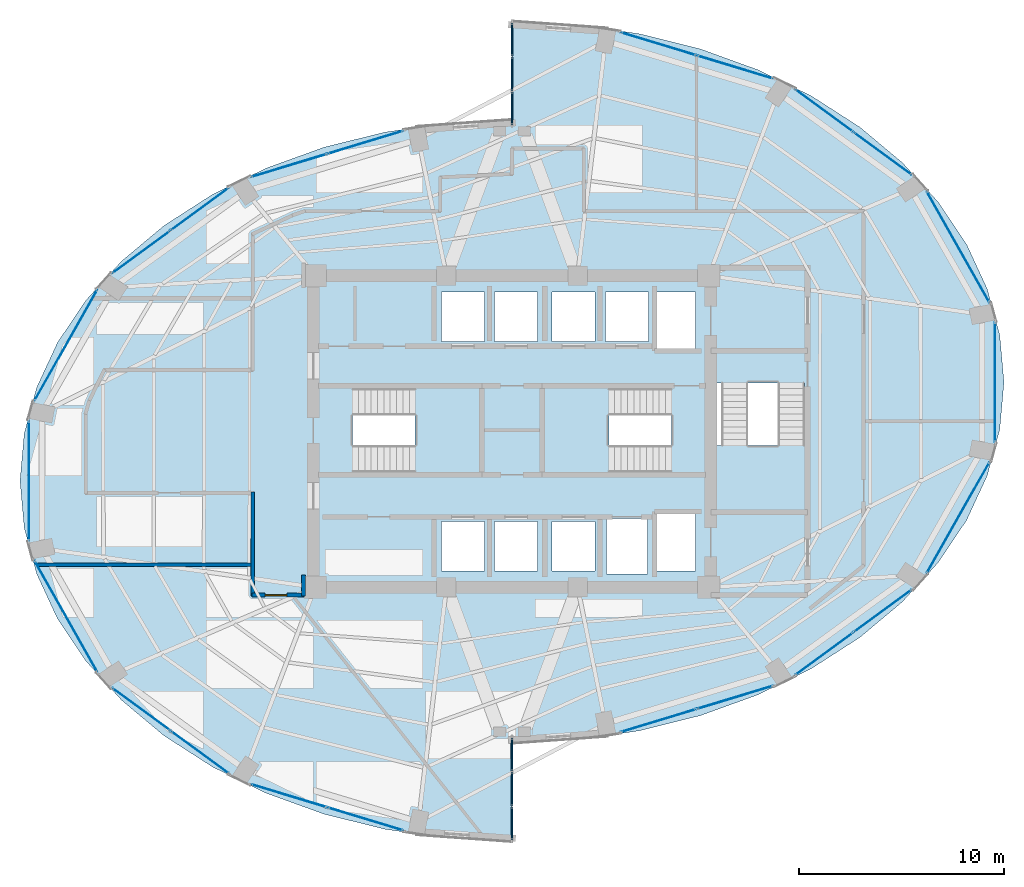
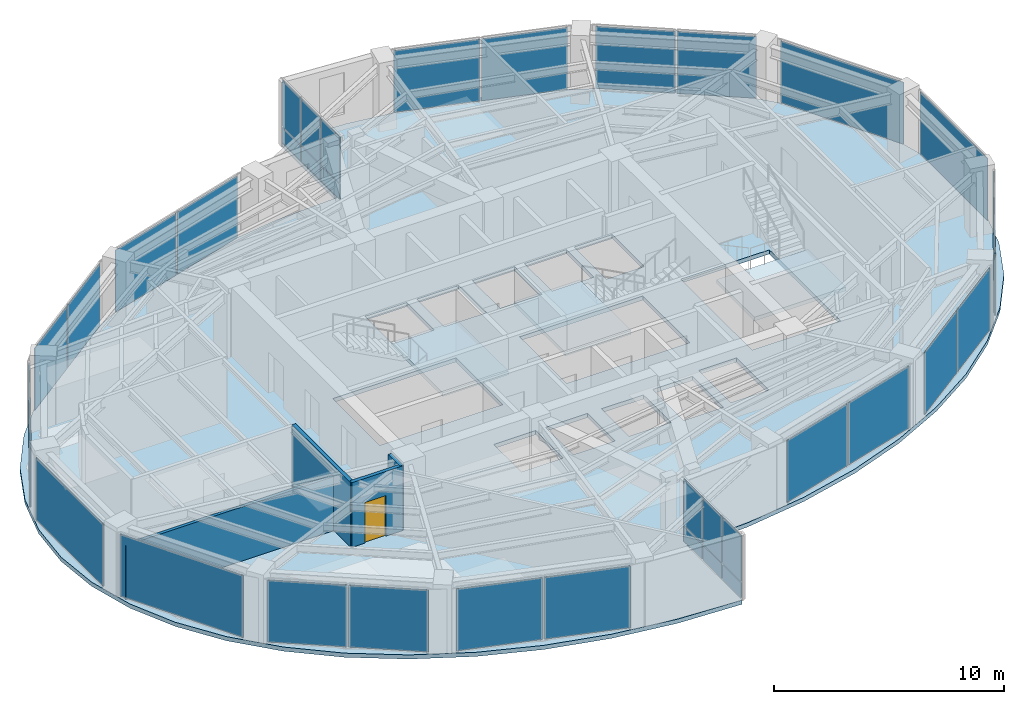
# One storey, part 15 of 20: 34 plates, 4 slabs, 4 walls, 1 door, 1 opening, 19 elements without a shape of their own.
"""IFC4 building model written with IfcOpenShell, lengths in metres."""

from ifc_helpers import new_model, si_unit, direction, frame, frame_2d, origin, origin_2d, place, context, subcontext, project, spatial, polyline, rectangle, outline, extrude, material, layer, layer_set, type_object, element, fill, aggregate, save


model = new_model("IFC4")

# Units and contexts
model_context = context("Model", 3, precision=1e-05, world=origin(), true_north=direction((0.0, 1.0)))
body_context = subcontext(model_context, "Body", "Model", "MODEL_VIEW")
ifc_project = project(units=[si_unit("LENGTHUNIT", "METRE"), si_unit("AREAUNIT", "SQUARE_METRE"), si_unit("VOLUMEUNIT", "CUBIC_METRE"), si_unit("PLANEANGLEUNIT", "RADIAN"), si_unit("MASSUNIT", "GRAM", prefix="KILO")], contexts=[model_context])

# Site, building, storey
site_placement = place(None, origin())
site = spatial("IfcSite", under=ifc_project, at=site_placement, CompositionType="ELEMENT")
building_placement = place(site_placement, origin())
building = spatial("IfcBuilding", under=site, at=building_placement, Name="Lazwardi Medical Tower", CompositionType="ELEMENT")
storey_placement = place(building_placement, frame((0.0, 0.0, 152.8798828125)))
storey = spatial("IfcBuildingStorey", under=building, at=storey_placement, Name="L39", CompositionType="ELEMENT", Elevation=152.8798828125)

# Curtain wall, plates
ifc_material_1 = material(Name="Anodised bronze aluminium and solar control glazing", Category="aluminium")
ifc_layer_1 = layer(ifc_material_1, 0.195068359375)
ifc_layer_set_1 = layer_set([ifc_layer_1], Name="Anodised bronze aluminium and solar control glazing")
curtain_wall_type_1 = type_object("IfcCurtainWallType", Name="CW-SYS-03", PredefinedType="NOTDEFINED", material=ifc_layer_set_1)
curtain_wall_1_placement = place(storey_placement, origin())
curtain_wall_1 = element("IfcCurtainWall", 1, at=curtain_wall_1_placement, inside=storey, type_object=curtain_wall_type_1, Name="L39 Unitised bronze curtain wall CW-03", PredefinedType="NOTDEFINED")
ifc_material_2 = material(Name="Low-e bronze solar control double glazing", Category="glass")
ifc_layer_2 = layer(ifc_material_2, 0.035888671875)
ifc_layer_set_2 = layer_set([ifc_layer_2], Name="Low-e bronze solar control double glazing")
plate_type_1 = type_object("IfcPlateType", Name="PLT-GLZ-01", PredefinedType="CURTAIN_PANEL", material=ifc_layer_set_2)
plate_1_placement = place(storey_placement, frame((43.1435546875, 13.8935546875, 0.0751953125), z_axis=(0.0, 0.0, 1.0), x_axis=(0.956941516292, 0.290280785441, 0.0)))
plate_1 = element("IfcPlate", 2, at=plate_1_placement, type_object=plate_type_1, Name="CW-03 panel 1.1", PredefinedType="CURTAIN_PANEL", context=body_context, shape_type="SweptSolid", body=[
    extrude(rectangle(XDim=3.83642578125, YDim=0.035888671875, at=origin_2d()), origin(), (0.0, 0.0, 1.0), 3.278076171875),
])
plate_2_placement = place(storey_placement, frame((46.88671875, 15.029052734375, 0.0751953125), z_axis=(0.0, 0.0, 1.0), x_axis=(0.956941516292, 0.290280785441, 0.0)))
plate_2 = element("IfcPlate", 3, at=plate_2_placement, type_object=plate_type_1, Name="CW-03 panel 2.1", PredefinedType="CURTAIN_PANEL", context=body_context, shape_type="SweptSolid", body=[
    extrude(rectangle(XDim=3.83642578125, YDim=0.035888671875, at=origin_2d()), origin(), (0.0, 0.0, 1.0), 3.278076171875),
])
aggregate(curtain_wall_1, [plate_1, plate_2])

curtain_wall_2_placement = place(storey_placement, origin())
curtain_wall_2 = element("IfcCurtainWall", 4, at=curtain_wall_2_placement, inside=storey, type_object=curtain_wall_type_1, Name="L39 Unitised bronze curtain wall CW-03", PredefinedType="NOTDEFINED")
plate_3_placement = place(storey_placement, frame((51.2265625, 17.153076171875, 0.0751953125), z_axis=(0.0, 0.0, 1.0), x_axis=(0.806793249082, 0.590833862635, 0.0)))
plate_3 = element("IfcPlate", 5, at=plate_3_placement, type_object=plate_type_1, Name="CW-03 panel 1.1", PredefinedType="CURTAIN_PANEL", context=body_context, shape_type="SweptSolid", body=[
    extrude(rectangle(XDim=3.472412109375, YDim=0.035888671875, at=origin_2d()), origin(), (0.0, 0.0, 1.0), 3.278076171875),
])
plate_4_placement = place(storey_placement, frame((54.088623046875, 19.2490234375, 0.0751953125), z_axis=(0.0, 0.0, 1.0), x_axis=(0.806793249082, 0.590833862635, 0.0)))
plate_4 = element("IfcPlate", 6, at=plate_4_placement, type_object=plate_type_1, Name="CW-03 panel 2.1", PredefinedType="CURTAIN_PANEL", context=body_context, shape_type="SweptSolid", body=[
    extrude(rectangle(XDim=3.472412109375, YDim=0.035888671875, at=origin_2d()), origin(), (0.0, 0.0, 1.0), 3.278076171875),
])
aggregate(curtain_wall_2, [plate_3, plate_4])

# Curtain wall, plate
curtain_wall_3_placement = place(storey_placement, origin())
curtain_wall_3 = element("IfcCurtainWall", 7, at=curtain_wall_3_placement, inside=storey, type_object=curtain_wall_type_1, Name="L39 Unitised bronze curtain wall CW-03", PredefinedType="NOTDEFINED")
plate_5_placement = place(storey_placement, frame((57.764404296875, 23.798095703125, 0.0751953125), z_axis=(0.0, 0.0, 1.0), x_axis=(0.492311672683, 0.870418989303, 0.0)))
plate_5 = element("IfcPlate", 8, at=plate_5_placement, type_object=plate_type_1, Name="CW-03 panel 1.1", PredefinedType="CURTAIN_PANEL", context=body_context, shape_type="SweptSolid", body=[
    extrude(rectangle(XDim=6.208740234375, YDim=0.035888671875, at=origin_2d()), origin(), (0.0, 0.0, 1.0), 3.278076171875),
])
aggregate(curtain_wall_3, [plate_5])

curtain_wall_4_placement = place(storey_placement, origin())
curtain_wall_4 = element("IfcCurtainWall", 9, at=curtain_wall_4_placement, inside=storey, type_object=curtain_wall_type_1, Name="L39 Unitised bronze curtain wall CW-03", PredefinedType="NOTDEFINED")
plate_6_placement = place(storey_placement, frame((59.5576171875, 30.39990234375, 0.0751953125), z_axis=(0.0, 0.0, 1.0), x_axis=(0.0, 1.0, 0.0)))
plate_6 = element("IfcPlate", 10, at=plate_6_placement, type_object=plate_type_1, Name="CW-03 panel 1.1", PredefinedType="CURTAIN_PANEL", context=body_context, shape_type="SweptSolid", body=[
    extrude(rectangle(XDim=5.8408203125, YDim=0.035888671875, at=origin_2d()), origin(), (0.0, 0.0, 1.0), 3.278076171875),
])
aggregate(curtain_wall_4, [plate_6])

curtain_wall_5_placement = place(storey_placement, origin())
curtain_wall_5 = element("IfcCurtainWall", 11, at=curtain_wall_5_placement, inside=storey, type_object=curtain_wall_type_1, Name="L39 Unitised bronze curtain wall CW-03", PredefinedType="NOTDEFINED")
plate_7_placement = place(storey_placement, frame((57.764404296875, 37.001953125, 0.0751953125), z_axis=(0.0, 0.0, 1.0), x_axis=(-0.492311672683, 0.870418989303, 0.0)))
plate_7 = element("IfcPlate", 12, at=plate_7_placement, type_object=plate_type_1, Name="CW-03 panel 1.1", PredefinedType="CURTAIN_PANEL", context=body_context, shape_type="SweptSolid", body=[
    extrude(rectangle(XDim=6.208740234375, YDim=0.035888671875, at=origin_2d()), origin(), (0.0, 0.0, 1.0), 3.278076171875),
])
aggregate(curtain_wall_5, [plate_7])

# Curtain wall, plates
curtain_wall_6_placement = place(storey_placement, origin())
curtain_wall_6 = element("IfcCurtainWall", 13, at=curtain_wall_6_placement, inside=storey, type_object=curtain_wall_type_1, Name="L39 Unitised bronze curtain wall CW-03", PredefinedType="NOTDEFINED")
plate_8_placement = place(storey_placement, frame((54.088623046875, 41.551025390625, 0.0751953125), z_axis=(0.0, 0.0, 1.0), x_axis=(-0.806793249082, 0.590833862635, 0.0)))
plate_8 = element("IfcPlate", 14, at=plate_8_placement, type_object=plate_type_1, Name="CW-03 panel 1.1", PredefinedType="CURTAIN_PANEL", context=body_context, shape_type="SweptSolid", body=[
    extrude(rectangle(XDim=3.472412109375, YDim=0.035888671875, at=origin_2d()), origin(), (0.0, 0.0, 1.0), 3.278076171875),
])
plate_9_placement = place(storey_placement, frame((51.2265625, 43.64697265625, 0.0751953125), z_axis=(0.0, 0.0, 1.0), x_axis=(-0.806793249082, 0.590833862635, 0.0)))
plate_9 = element("IfcPlate", 15, at=plate_9_placement, type_object=plate_type_1, Name="CW-03 panel 2.1", PredefinedType="CURTAIN_PANEL", context=body_context, shape_type="SweptSolid", body=[
    extrude(rectangle(XDim=3.472412109375, YDim=0.035888671875, at=origin_2d()), origin(), (0.0, 0.0, 1.0), 3.278076171875),
])
aggregate(curtain_wall_6, [plate_8, plate_9])

curtain_wall_7_placement = place(storey_placement, origin())
curtain_wall_7 = element("IfcCurtainWall", 16, at=curtain_wall_7_placement, inside=storey, type_object=curtain_wall_type_1, Name="L39 Unitised bronze curtain wall CW-03", PredefinedType="NOTDEFINED")
plate_10_placement = place(storey_placement, frame((46.88671875, 45.77099609375, 0.0751953125), z_axis=(0.0, 0.0, 1.0), x_axis=(-0.956941516292, 0.290280785441, 0.0)))
plate_10 = element("IfcPlate", 17, at=plate_10_placement, type_object=plate_type_1, Name="CW-03 panel 1.1", PredefinedType="CURTAIN_PANEL", context=body_context, shape_type="SweptSolid", body=[
    extrude(rectangle(XDim=3.83642578125, YDim=0.035888671875, at=origin_2d()), origin(), (0.0, 0.0, 1.0), 3.278076171875),
])
plate_11_placement = place(storey_placement, frame((43.1435546875, 46.906494140625, 0.0751953125), z_axis=(0.0, 0.0, 1.0), x_axis=(-0.956941516292, 0.290280785441, 0.0)))
plate_11 = element("IfcPlate", 18, at=plate_11_placement, type_object=plate_type_1, Name="CW-03 panel 2.1", PredefinedType="CURTAIN_PANEL", context=body_context, shape_type="SweptSolid", body=[
    extrude(rectangle(XDim=3.83642578125, YDim=0.035888671875, at=origin_2d()), origin(), (0.0, 0.0, 1.0), 3.278076171875),
])
aggregate(curtain_wall_7, [plate_10, plate_11])

curtain_wall_8_placement = place(storey_placement, origin())
curtain_wall_8 = element("IfcCurtainWall", 19, at=curtain_wall_8_placement, inside=storey, type_object=curtain_wall_type_1, Name="L39 Unitised bronze curtain wall CW-03", PredefinedType="NOTDEFINED")
plate_12_placement = place(storey_placement, frame((28.8564453125, 42.1064453125, 0.0751953125), z_axis=(0.0, 0.0, 1.0), x_axis=(-0.956941516292, -0.290280785441, 0.0)))
plate_12 = element("IfcPlate", 20, at=plate_12_placement, type_object=plate_type_1, Name="CW-03 panel 1.1", PredefinedType="CURTAIN_PANEL", context=body_context, shape_type="SweptSolid", body=[
    extrude(rectangle(XDim=3.83642578125, YDim=0.035888671875, at=origin_2d()), origin(), (0.0, 0.0, 1.0), 3.278076171875),
])
plate_13_placement = place(storey_placement, frame((25.11328125, 40.970947265625, 0.0751953125), z_axis=(0.0, 0.0, 1.0), x_axis=(-0.956941516292, -0.290280785441, 0.0)))
plate_13 = element("IfcPlate", 21, at=plate_13_placement, type_object=plate_type_1, Name="CW-03 panel 2.1", PredefinedType="CURTAIN_PANEL", context=body_context, shape_type="SweptSolid", body=[
    extrude(rectangle(XDim=3.83642578125, YDim=0.035888671875, at=origin_2d()), origin(), (0.0, 0.0, 1.0), 3.278076171875),
])
aggregate(curtain_wall_8, [plate_12, plate_13])

curtain_wall_9_placement = place(storey_placement, origin())
curtain_wall_9 = element("IfcCurtainWall", 22, at=curtain_wall_9_placement, inside=storey, type_object=curtain_wall_type_1, Name="L39 Unitised bronze curtain wall CW-03", PredefinedType="NOTDEFINED")
plate_14_placement = place(storey_placement, frame((20.7734375, 38.846923828125, 0.0751953125), z_axis=(0.0, 0.0, 1.0), x_axis=(-0.806793249082, -0.590833862635, 0.0)))
plate_14 = element("IfcPlate", 23, at=plate_14_placement, type_object=plate_type_1, Name="CW-03 panel 1.1", PredefinedType="CURTAIN_PANEL", context=body_context, shape_type="SweptSolid", body=[
    extrude(rectangle(XDim=3.472412109375, YDim=0.035888671875, at=origin_2d()), origin(), (0.0, 0.0, 1.0), 3.278076171875),
])
plate_15_placement = place(storey_placement, frame((17.911376953125, 36.7509765625, 0.0751953125), z_axis=(0.0, 0.0, 1.0), x_axis=(-0.806793249082, -0.590833862635, 0.0)))
plate_15 = element("IfcPlate", 24, at=plate_15_placement, type_object=plate_type_1, Name="CW-03 panel 2.1", PredefinedType="CURTAIN_PANEL", context=body_context, shape_type="SweptSolid", body=[
    extrude(rectangle(XDim=3.472412109375, YDim=0.035888671875, at=origin_2d()), origin(), (0.0, 0.0, 1.0), 3.278076171875),
])
aggregate(curtain_wall_9, [plate_14, plate_15])

# Curtain wall, plate
curtain_wall_10_placement = place(storey_placement, origin())
curtain_wall_10 = element("IfcCurtainWall", 25, at=curtain_wall_10_placement, inside=storey, type_object=curtain_wall_type_1, Name="L39 Unitised bronze curtain wall CW-03", PredefinedType="NOTDEFINED")
plate_16_placement = place(storey_placement, frame((14.235595703125, 32.201904296875, 0.0751953125), z_axis=(0.0, 0.0, 1.0), x_axis=(-0.492311672683, -0.870418989303, 0.0)))
plate_16 = element("IfcPlate", 26, at=plate_16_placement, type_object=plate_type_1, Name="CW-03 panel 1.1", PredefinedType="CURTAIN_PANEL", context=body_context, shape_type="SweptSolid", body=[
    extrude(rectangle(XDim=6.208740234375, YDim=0.035888671875, at=origin_2d()), origin(), (0.0, 0.0, 1.0), 3.278076171875),
])
aggregate(curtain_wall_10, [plate_16])

curtain_wall_11_placement = place(storey_placement, origin())
curtain_wall_11 = element("IfcCurtainWall", 27, at=curtain_wall_11_placement, inside=storey, type_object=curtain_wall_type_1, Name="L39 Unitised bronze curtain wall CW-03", PredefinedType="NOTDEFINED")
plate_17_placement = place(storey_placement, frame((12.4423828125, 25.60009765625, 0.0751953125), z_axis=(0.0, 0.0, 1.0), x_axis=(0.0, -1.0, 0.0)))
plate_17 = element("IfcPlate", 28, at=plate_17_placement, type_object=plate_type_1, Name="CW-03 panel 1.1", PredefinedType="CURTAIN_PANEL", context=body_context, shape_type="SweptSolid", body=[
    extrude(rectangle(XDim=5.8408203125, YDim=0.035888671875, at=origin_2d()), origin(), (0.0, 0.0, 1.0), 3.278076171875),
])
aggregate(curtain_wall_11, [plate_17])

curtain_wall_12_placement = place(storey_placement, origin())
curtain_wall_12 = element("IfcCurtainWall", 29, at=curtain_wall_12_placement, inside=storey, type_object=curtain_wall_type_1, Name="L39 Unitised bronze curtain wall CW-03", PredefinedType="NOTDEFINED")
plate_18_placement = place(storey_placement, frame((14.235595703125, 18.998046875, 0.0751953125), z_axis=(0.0, 0.0, 1.0), x_axis=(0.492311672683, -0.870418989303, 0.0)))
plate_18 = element("IfcPlate", 30, at=plate_18_placement, type_object=plate_type_1, Name="CW-03 panel 1.1", PredefinedType="CURTAIN_PANEL", context=body_context, shape_type="SweptSolid", body=[
    extrude(rectangle(XDim=6.208740234375, YDim=0.035888671875, at=origin_2d()), origin(), (0.0, 0.0, 1.0), 3.278076171875),
])
aggregate(curtain_wall_12, [plate_18])

# Curtain wall, plates
curtain_wall_13_placement = place(storey_placement, origin())
curtain_wall_13 = element("IfcCurtainWall", 31, at=curtain_wall_13_placement, inside=storey, type_object=curtain_wall_type_1, Name="L39 Unitised bronze curtain wall CW-03", PredefinedType="NOTDEFINED")
plate_19_placement = place(storey_placement, frame((17.911376953125, 14.448974609375, 0.0751953125), z_axis=(0.0, 0.0, 1.0), x_axis=(0.806793249082, -0.590833862635, 0.0)))
plate_19 = element("IfcPlate", 32, at=plate_19_placement, type_object=plate_type_1, Name="CW-03 panel 1.1", PredefinedType="CURTAIN_PANEL", context=body_context, shape_type="SweptSolid", body=[
    extrude(rectangle(XDim=3.472412109375, YDim=0.035888671875, at=origin_2d()), origin(), (0.0, 0.0, 1.0), 3.278076171875),
])
plate_20_placement = place(storey_placement, frame((20.7734375, 12.35302734375, 0.0751953125), z_axis=(0.0, 0.0, 1.0), x_axis=(0.806793249082, -0.590833862635, 0.0)))
plate_20 = element("IfcPlate", 33, at=plate_20_placement, type_object=plate_type_1, Name="CW-03 panel 2.1", PredefinedType="CURTAIN_PANEL", context=body_context, shape_type="SweptSolid", body=[
    extrude(rectangle(XDim=3.472412109375, YDim=0.035888671875, at=origin_2d()), origin(), (0.0, 0.0, 1.0), 3.278076171875),
])
aggregate(curtain_wall_13, [plate_19, plate_20])

curtain_wall_14_placement = place(storey_placement, origin())
curtain_wall_14 = element("IfcCurtainWall", 34, at=curtain_wall_14_placement, inside=storey, type_object=curtain_wall_type_1, Name="L39 Unitised bronze curtain wall CW-03", PredefinedType="NOTDEFINED")
plate_21_placement = place(storey_placement, frame((25.11328125, 10.22900390625, 0.0751953125), z_axis=(0.0, 0.0, 1.0), x_axis=(0.956941516292, -0.290280785441, 0.0)))
plate_21 = element("IfcPlate", 35, at=plate_21_placement, type_object=plate_type_1, Name="CW-03 panel 1.1", PredefinedType="CURTAIN_PANEL", context=body_context, shape_type="SweptSolid", body=[
    extrude(rectangle(XDim=3.83642578125, YDim=0.035888671875, at=origin_2d()), origin(), (0.0, 0.0, 1.0), 3.278076171875),
])
plate_22_placement = place(storey_placement, frame((28.8564453125, 9.093505859375, 0.0751953125), z_axis=(0.0, 0.0, 1.0), x_axis=(0.956941516292, -0.290280785441, 0.0)))
plate_22 = element("IfcPlate", 36, at=plate_22_placement, type_object=plate_type_1, Name="CW-03 panel 2.1", PredefinedType="CURTAIN_PANEL", context=body_context, shape_type="SweptSolid", body=[
    extrude(rectangle(XDim=3.83642578125, YDim=0.035888671875, at=origin_2d()), origin(), (0.0, 0.0, 1.0), 3.278076171875),
])
aggregate(curtain_wall_14, [plate_21, plate_22])

ifc_layer_3 = layer(ifc_material_1, 0.2099609375)
ifc_layer_set_3 = layer_set([ifc_layer_3], Name="Anodised bronze aluminium and solar control glazing")
curtain_wall_type_2 = type_object("IfcCurtainWallType", Name="CW-SYS-06", PredefinedType="NOTDEFINED", material=ifc_layer_set_3)
curtain_wall_15_placement = place(storey_placement, origin())
curtain_wall_15 = element("IfcCurtainWall", 37, at=curtain_wall_15_placement, inside=storey, type_object=curtain_wall_type_2, Name="L39 Unitised bronze curtain wall CW-06", PredefinedType="NOTDEFINED")
ifc_material_3 = material(Name="Turquoise glazed ceramic insulated panel", Category="glass")
ifc_layer_4 = layer(ifc_material_3, 0.053955078125)
ifc_layer_set_4 = layer_set([ifc_layer_4], Name="Turquoise glazed ceramic insulated panel")
plate_type_2 = type_object("IfcPlateType", Name="PLT-TRQ-01", PredefinedType="CURTAIN_PANEL", material=ifc_layer_set_4)
plate_23_placement = place(storey_placement, frame((36.0, 47.1279296875, 0.074951171875), z_axis=(0.0, 0.0, 1.0), x_axis=(0.0, -1.0, 0.0)))
plate_23 = element("IfcPlate", 38, at=plate_23_placement, type_object=plate_type_2, Name="CW-06 panel 1.1", PredefinedType="CURTAIN_PANEL", context=body_context, shape_type="SweptSolid", body=[
    extrude(rectangle(XDim=1.59423828125, YDim=0.053955078125, at=origin_2d()), origin(), (0.0, 0.0, 1.0), 0.78759765625),
])
plate_24_placement = place(storey_placement, frame((36.0, 47.1279296875, 0.9375), z_axis=(0.0, 0.0, 1.0), x_axis=(0.0, -1.0, 0.0)))
plate_24 = element("IfcPlate", 39, at=plate_24_placement, type_object=plate_type_2, Name="CW-06 panel 1.2", PredefinedType="CURTAIN_PANEL", context=body_context, shape_type="SweptSolid", body=[
    extrude(rectangle(XDim=1.59423828125, YDim=0.053955078125, at=origin_2d()), origin(), (0.0, 0.0, 1.0), 2.41552734375),
])
plate_25_placement = place(storey_placement, frame((36.0, 45.43994140625, 0.074951171875), z_axis=(0.0, 0.0, 1.0), x_axis=(0.0, -1.0, 0.0)))
plate_25 = element("IfcPlate", 40, at=plate_25_placement, type_object=plate_type_2, Name="CW-06 panel 2.1", PredefinedType="CURTAIN_PANEL", context=body_context, shape_type="SweptSolid", body=[
    extrude(rectangle(XDim=1.631591796875, YDim=0.053955078125, at=origin_2d()), origin(), (0.0, 0.0, 1.0), 0.78759765625),
])
plate_26_placement = place(storey_placement, frame((36.0, 45.43994140625, 0.9375), z_axis=(0.0, 0.0, 1.0), x_axis=(0.0, -1.0, 0.0)))
plate_26 = element("IfcPlate", 41, at=plate_26_placement, type_object=plate_type_2, Name="CW-06 panel 2.2", PredefinedType="CURTAIN_PANEL", context=body_context, shape_type="SweptSolid", body=[
    extrude(rectangle(XDim=1.631591796875, YDim=0.053955078125, at=origin_2d()), origin(), (0.0, 0.0, 1.0), 2.41552734375),
])
plate_27_placement = place(storey_placement, frame((36.0, 43.752197265625, 0.074951171875), z_axis=(0.0, 0.0, 1.0), x_axis=(0.0, -1.0, 0.0)))
plate_27 = element("IfcPlate", 42, at=plate_27_placement, type_object=plate_type_2, Name="CW-06 panel 3.1", PredefinedType="CURTAIN_PANEL", context=body_context, shape_type="SweptSolid", body=[
    extrude(rectangle(XDim=1.59423828125, YDim=0.053955078125, at=origin_2d()), origin(), (0.0, 0.0, 1.0), 0.78759765625),
])
plate_28_placement = place(storey_placement, frame((36.0, 43.752197265625, 0.9375), z_axis=(0.0, 0.0, 1.0), x_axis=(0.0, -1.0, 0.0)))
plate_28 = element("IfcPlate", 43, at=plate_28_placement, type_object=plate_type_2, Name="CW-06 panel 3.2", PredefinedType="CURTAIN_PANEL", context=body_context, shape_type="SweptSolid", body=[
    extrude(rectangle(XDim=1.59423828125, YDim=0.053955078125, at=origin_2d()), origin(), (0.0, 0.0, 1.0), 2.41552734375),
])
aggregate(curtain_wall_15, [plate_23, plate_24, plate_25, plate_26, plate_27, plate_28])

curtain_wall_16_placement = place(storey_placement, origin())
curtain_wall_16 = element("IfcCurtainWall", 44, at=curtain_wall_16_placement, inside=storey, type_object=curtain_wall_type_2, Name="L39 Unitised bronze curtain wall CW-06", PredefinedType="NOTDEFINED")
plate_29_placement = place(storey_placement, frame((36.0, 8.8720703125, 0.074951171875), z_axis=(0.0, 0.0, 1.0), x_axis=(0.0, 1.0, 0.0)))
plate_29 = element("IfcPlate", 45, at=plate_29_placement, type_object=plate_type_2, Name="CW-06 panel 1.1", PredefinedType="CURTAIN_PANEL", context=body_context, shape_type="SweptSolid", body=[
    extrude(rectangle(XDim=1.59423828125, YDim=0.053955078125, at=origin_2d()), origin(), (0.0, 0.0, 1.0), 0.78759765625),
])
plate_30_placement = place(storey_placement, frame((36.0, 8.8720703125, 0.9375), z_axis=(0.0, 0.0, 1.0), x_axis=(0.0, 1.0, 0.0)))
plate_30 = element("IfcPlate", 46, at=plate_30_placement, type_object=plate_type_2, Name="CW-06 panel 1.2", PredefinedType="CURTAIN_PANEL", context=body_context, shape_type="SweptSolid", body=[
    extrude(rectangle(XDim=1.59423828125, YDim=0.053955078125, at=origin_2d()), origin(), (0.0, 0.0, 1.0), 2.41552734375),
])
plate_31_placement = place(storey_placement, frame((36.0, 10.56005859375, 0.074951171875), z_axis=(0.0, 0.0, 1.0), x_axis=(0.0, 1.0, 0.0)))
plate_31 = element("IfcPlate", 47, at=plate_31_placement, type_object=plate_type_2, Name="CW-06 panel 2.1", PredefinedType="CURTAIN_PANEL", context=body_context, shape_type="SweptSolid", body=[
    extrude(rectangle(XDim=1.631591796875, YDim=0.053955078125, at=origin_2d()), origin(), (0.0, 0.0, 1.0), 0.78759765625),
])
plate_32_placement = place(storey_placement, frame((36.0, 10.56005859375, 0.9375), z_axis=(0.0, 0.0, 1.0), x_axis=(0.0, 1.0, 0.0)))
plate_32 = element("IfcPlate", 48, at=plate_32_placement, type_object=plate_type_2, Name="CW-06 panel 2.2", PredefinedType="CURTAIN_PANEL", context=body_context, shape_type="SweptSolid", body=[
    extrude(rectangle(XDim=1.631591796875, YDim=0.053955078125, at=origin_2d()), origin(), (0.0, 0.0, 1.0), 2.41552734375),
])
plate_33_placement = place(storey_placement, frame((36.0, 12.247802734375, 0.074951171875), z_axis=(0.0, 0.0, 1.0), x_axis=(0.0, 1.0, 0.0)))
plate_33 = element("IfcPlate", 49, at=plate_33_placement, type_object=plate_type_2, Name="CW-06 panel 3.1", PredefinedType="CURTAIN_PANEL", context=body_context, shape_type="SweptSolid", body=[
    extrude(rectangle(XDim=1.59423828125, YDim=0.053955078125, at=origin_2d()), origin(), (0.0, 0.0, 1.0), 0.78759765625),
])
plate_34_placement = place(storey_placement, frame((36.0, 12.247802734375, 0.9375), z_axis=(0.0, 0.0, 1.0), x_axis=(0.0, 1.0, 0.0)))
plate_34 = element("IfcPlate", 50, at=plate_34_placement, type_object=plate_type_2, Name="CW-06 panel 3.2", PredefinedType="CURTAIN_PANEL", context=body_context, shape_type="SweptSolid", body=[
    extrude(rectangle(XDim=1.59423828125, YDim=0.053955078125, at=origin_2d()), origin(), (0.0, 0.0, 1.0), 2.41552734375),
])
aggregate(curtain_wall_16, [plate_29, plate_30, plate_31, plate_32, plate_33, plate_34])

# Stair, slab
ifc_material_4 = material(Name="Concrete C45/55", Category="concrete")
stair_type = type_object("IfcStairType", Name="STR-WRD", PredefinedType="HALF_TURN_STAIR", material=ifc_material_4)
stair_1_placement = place(storey_placement, origin())
stair_1 = element("IfcStair", 51, at=stair_1_placement, inside=storey, type_object=stair_type, Name="L39 Protected Exit Stair ST1", PredefinedType="HALF_TURN_STAIR")
ifc_layer_5 = layer(ifc_material_4, 0.199951171875)
ifc_layer_set_5 = layer_set([ifc_layer_5], Name="Concrete C45/55")
slab_type_1 = type_object("IfcSlabType", Name="SLB-LND-190", PredefinedType="LANDING", material=ifc_layer_set_5)
slab_1_placement = place(storey_placement, frame((0.0, 0.0, 1.6240234375)))
slab_1 = element("IfcSlab", 52, at=slab_1_placement, type_object=slab_type_1, Name="ST1 landing 1", PredefinedType="LANDING", context=body_context, shape_type="SweptSolid", body=[
    extrude(outline(polyline([(31.27490234375, 25.840087890625), (34.580078125, 25.840087890625), (34.580078125, 30.280029296875), (31.27490234375, 30.280029296875), (31.27490234375, 25.840087890625)])), origin(), (0.0, 0.0, 1.0), 0.2001953125),
])
aggregate(stair_1, [slab_1])

stair_2_placement = place(storey_placement, origin())
stair_2 = element("IfcStair", 53, at=stair_2_placement, inside=storey, type_object=stair_type, Name="L39 Protected Exit Stair ST2", PredefinedType="HALF_TURN_STAIR")
slab_2_placement = place(storey_placement, frame((0.0, 0.0, 1.6240234375)))
slab_2 = element("IfcSlab", 54, at=slab_2_placement, type_object=slab_type_1, Name="ST2 landing 1", PredefinedType="LANDING", context=body_context, shape_type="SweptSolid", body=[
    extrude(outline(polyline([(40.72509765625, 30.280029296875), (37.419921875, 30.280029296875), (37.419921875, 25.840087890625), (40.72509765625, 25.840087890625), (40.72509765625, 30.280029296875)])), origin(), (0.0, 0.0, 1.0), 0.2001953125),
])
aggregate(stair_2, [slab_2])

stair_3_placement = place(storey_placement, origin())
stair_3 = element("IfcStair", 55, at=stair_3_placement, inside=storey, type_object=stair_type, Name="L39 Protected Exit Stair ST3", PredefinedType="HALF_TURN_STAIR")
slab_3_placement = place(storey_placement, frame((0.0, 0.0, 1.6240234375)))
slab_3 = element("IfcSlab", 56, at=slab_3_placement, type_object=slab_type_1, Name="ST3 landing 1", PredefinedType="LANDING", context=body_context, shape_type="SweptSolid", body=[
    extrude(outline(polyline([(45.860107421875, 27.324951171875), (45.860107421875, 24.02001953125), (50.4599609375, 24.02001953125), (50.4599609375, 27.324951171875), (45.860107421875, 27.324951171875)])), origin(), (0.0, 0.0, 1.0), 0.2001953125),
])
aggregate(stair_3, [slab_3])

# Slab
ifc_material_5 = material(Name="Concrete C50/60", Category="concrete")
ifc_layer_6 = layer(ifc_material_5, 0.219970703125)
ifc_layer_set_6 = layer_set([ifc_layer_6], Name="Concrete C50/60")
slab_type_2 = type_object("IfcSlabType", Name="SLB-WRD-220", PredefinedType="FLOOR", material=ifc_layer_set_6)
slab_4_placement = place(storey_placement, frame((0.0, 0.0, -0.219970703125)))
element("IfcSlab", 57, at=slab_4_placement, inside=storey, type_object=slab_type_2, Name="Structural floor slab SF-03 L39", PredefinedType="FLOOR", context=body_context, shape_type="SweptSolid", body=[
    extrude(outline(polyline([(12.205322265625, 23.302734375), (12.81787109375, 21.044921875), (13.826904296875, 18.86474609375), (15.21533203125, 16.800048828125), (16.95947265625, 14.8857421875), (19.029296875, 13.15478515625), (21.3896484375, 11.636962890625), (24.0, 10.35791015625), (26.815673828125, 9.339599609375), (29.788330078125, 8.599609375), (32.867431640625, 8.150634765625), (36.0, 8.0), (36.0, 12.800048828125), (39.132568359375, 12.95068359375), (42.211669921875, 13.399658203125), (45.184326171875, 14.1396484375), (48.0, 15.157958984375), (50.6103515625, 16.43701171875), (52.970703125, 17.954833984375), (55.04052734375, 19.685791015625), (56.78466796875, 21.60009765625), (58.173095703125, 23.664794921875), (59.18212890625, 25.8447265625), (59.794677734375, 28.102783203125), (60.0, 30.39990234375), (59.794677734375, 32.697265625), (59.18212890625, 34.955078125), (58.173095703125, 37.13525390625), (56.78466796875, 39.199951171875), (55.04052734375, 41.1142578125), (52.970703125, 42.84521484375), (50.6103515625, 44.363037109375), (48.0, 45.64208984375), (45.184326171875, 46.660400390625), (42.211669921875, 47.400390625), (39.132568359375, 47.849365234375), (36.0, 48.0), (36.0, 43.199951171875), (32.867431640625, 43.04931640625), (29.788330078125, 42.600341796875), (26.815673828125, 41.8603515625), (24.0, 40.842041015625), (21.3896484375, 39.56298828125), (19.029296875, 38.045166015625), (16.95947265625, 36.314208984375), (15.21533203125, 34.39990234375), (13.826904296875, 32.335205078125), (12.81787109375, 30.1552734375), (12.205322265625, 27.897216796875), (12.0, 25.60009765625), (12.205322265625, 23.302734375)]), holes=[polyline([(28.22509765625, 26.02001953125), (28.22509765625, 30.10009765625), (34.39990234375, 30.10009765625), (34.39990234375, 26.02001953125), (28.22509765625, 26.02001953125)]), polyline([(37.60009765625, 30.10009765625), (43.77490234375, 30.10009765625), (43.77490234375, 26.02001953125), (37.60009765625, 26.02001953125), (37.60009765625, 30.10009765625)]), polyline([(50.280029296875, 30.375), (50.280029296875, 24.179931640625), (45.840087890625, 24.179931640625), (45.840087890625, 30.375), (50.280029296875, 30.375)]), polyline([(34.64990234375, 32.39990234375), (32.550048828125, 32.39990234375), (32.550048828125, 34.800048828125), (34.64990234375, 34.800048828125), (34.64990234375, 32.39990234375)]), polyline([(35.14990234375, 32.39990234375), (35.14990234375, 34.800048828125), (37.25, 34.800048828125), (37.25, 32.39990234375), (35.14990234375, 32.39990234375)]), polyline([(32.550048828125, 23.60009765625), (34.64990234375, 23.60009765625), (34.64990234375, 21.199951171875), (32.550048828125, 21.199951171875), (32.550048828125, 23.60009765625)]), polyline([(37.25, 23.60009765625), (37.25, 21.199951171875), (35.14990234375, 21.199951171875), (35.14990234375, 23.60009765625), (37.25, 23.60009765625)]), polyline([(40.050048828125, 32.39990234375), (37.949951171875, 32.39990234375), (37.949951171875, 34.800048828125), (40.050048828125, 34.800048828125), (40.050048828125, 32.39990234375)]), polyline([(40.550048828125, 32.39990234375), (40.550048828125, 34.800048828125), (42.64990234375, 34.800048828125), (42.64990234375, 32.39990234375), (40.550048828125, 32.39990234375)]), polyline([(37.949951171875, 23.60009765625), (40.050048828125, 23.60009765625), (40.050048828125, 21.199951171875), (37.949951171875, 21.199951171875), (37.949951171875, 23.60009765625)]), polyline([(44.949951171875, 34.800048828125), (44.949951171875, 32.0), (43.050048828125, 32.0), (43.050048828125, 34.800048828125), (44.949951171875, 34.800048828125)]), polyline([(44.949951171875, 21.199951171875), (43.050048828125, 21.199951171875), (43.050048828125, 24.0), (44.949951171875, 24.0), (44.949951171875, 21.199951171875)]), polyline([(40.60009765625, 21.050048828125), (40.60009765625, 23.75), (42.60009765625, 23.75), (42.60009765625, 21.050048828125), (40.60009765625, 21.050048828125)])]), origin(), (0.0, 0.0, 1.0), 0.219970703125),
])

# Wall
ifc_material_6 = material(Name="Fire-rated gypsum board on steel stud", Category="steel")
ifc_layer_7 = layer(ifc_material_6, 0.179931640625)
ifc_layer_set_7 = layer_set([ifc_layer_7], Name="Fire-rated gypsum board on steel stud")
wall_type_1 = type_object("IfcWallType", Name="WL-COR-180", PredefinedType="PARTITIONING", material=ifc_layer_set_7)
wall_1_placement = place(storey_placement, frame((25.830078125, 21.010009765625, 0.0), z_axis=(0.0, 0.0, 1.0), x_axis=(0.0, -1.0, 0.0)))
element("IfcWall", 58, at=wall_1_placement, inside=storey, type_object=wall_type_1, Name="L39 Corridor partition 16", PredefinedType="PARTITIONING", context=body_context, shape_type="SweptSolid", body=[
    extrude(rectangle(XDim=1.030029296875, YDim=0.179931640625, at=frame_2d((0.51513671875, 0.0))), origin(), (0.0, 0.0, 1.0), 3.42822265625),
])

# Wall, opening, door
wall_2_placement = place(storey_placement, frame((25.8701171875, 20.02001953125, 0.0), z_axis=(0.0, 0.0, 1.0), x_axis=(-1.0, 0.0, 0.0)))
wall_2 = element("IfcWall", 59, at=wall_2_placement, inside=storey, type_object=wall_type_1, Name="L39 Corridor partition 17", PredefinedType="PARTITIONING", context=body_context, shape_type="SweptSolid", body=[
    extrude(rectangle(XDim=2.56005859375, YDim=0.179931640625, at=frame_2d((1.280029296875, 0.0))), origin(), (0.0, 0.0, 1.0), 3.42822265625),
])
opening_placement = place(wall_2_placement, frame((0.85791015625, 0.0, 0.0)))
opening = element("IfcOpeningElement", 60, at=opening_placement, cuts=wall_2, Name="Opening D-L39-011", PredefinedType="OPENING", context=body_context, shape_type="SweptSolid", body=[
    extrude(rectangle(XDim=1.050048828125, YDim=2.14990234375, at=frame_2d((0.52490234375, 1.074951171875))), frame((0.0, 0.099853515625, 0.0), z_axis=(0.0, -1.0, 0.0), x_axis=(1.0, 0.0, 0.0)), (0.0, 0.0, 1.0), 0.199951171875),
])
ifc_material_7 = material(Name="Anti-microbial laminate hospital leaf")
door_type = type_object("IfcDoorType", Name="DR-CLN-1050", OperationType="NOTDEFINED", PredefinedType="DOOR", material=ifc_material_7)
door_placement = place(opening_placement, origin())
door = element("IfcDoor", 61, at=door_placement, inside=storey, type_object=door_type, Name="L39 Medical Duty Staff Room Door 02", OperationType="SINGLE_SWING_RIGHT", OverallHeight=2.14990234375, OverallWidth=1.050048828125, PredefinedType="DOOR", context=body_context, shape_type="SweptSolid", body=[
    extrude(rectangle(XDim=1.050048828125, YDim=2.14990234375, at=frame_2d((0.52490234375, 1.074951171875))), frame((0.0, 0.02490234375, 0.0), z_axis=(0.0, -1.0, 0.0), x_axis=(1.0, 0.0, 0.0)), (0.0, 0.0, 1.0), 0.050048828125),
])
fill(opening, door)

# Walls
wall_3_placement = place(storey_placement, frame((23.35009765625, 19.97998046875, 0.0), z_axis=(0.0, 0.0, 1.0), x_axis=(0.0, 1.0, 0.0)))
element("IfcWall", 62, at=wall_3_placement, inside=storey, type_object=wall_type_1, Name="L39 Corridor partition 18", PredefinedType="PARTITIONING", context=body_context, shape_type="SweptSolid", body=[
    extrude(rectangle(XDim=5.06005859375, YDim=0.179931640625, at=frame_2d((2.530029296875, 0.0))), origin(), (0.0, 0.0, 1.0), 3.42822265625),
])
ifc_material_8 = material(Name="Acoustic gypsum board partition")
ifc_layer_8 = layer(ifc_material_8, 0.14990234375)
ifc_layer_set_8 = layer_set([ifc_layer_8], Name="Acoustic gypsum board partition")
wall_type_2 = type_object("IfcWallType", Name="WL-WRD-150", PredefinedType="PARTITIONING", material=ifc_layer_set_8)
wall_4_placement = place(storey_placement, frame((12.828857421875, 21.5, 0.0), z_axis=(0.0, 0.0, 1.0), x_axis=(1.0, 0.0, 0.0)))
element("IfcWall", 63, at=wall_4_placement, inside=storey, type_object=wall_type_2, Name="L39 Room partition 1", PredefinedType="PARTITIONING", context=body_context, shape_type="SweptSolid", body=[
    extrude(rectangle(XDim=10.43115234375, YDim=0.14990234375, at=frame_2d((5.215576171875, 0.0))), origin(), (0.0, 0.0, 1.0), 2.863037109375),
])

save(model, "model.ifc")
